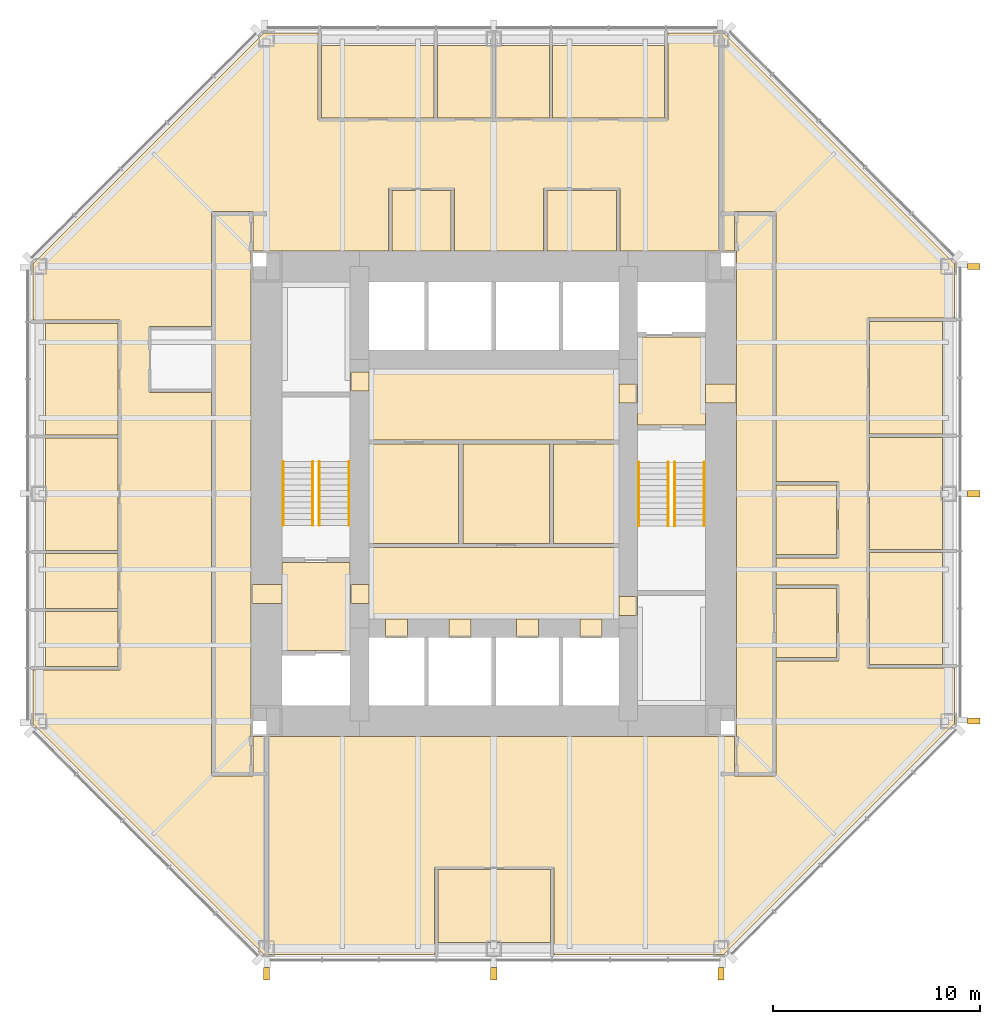
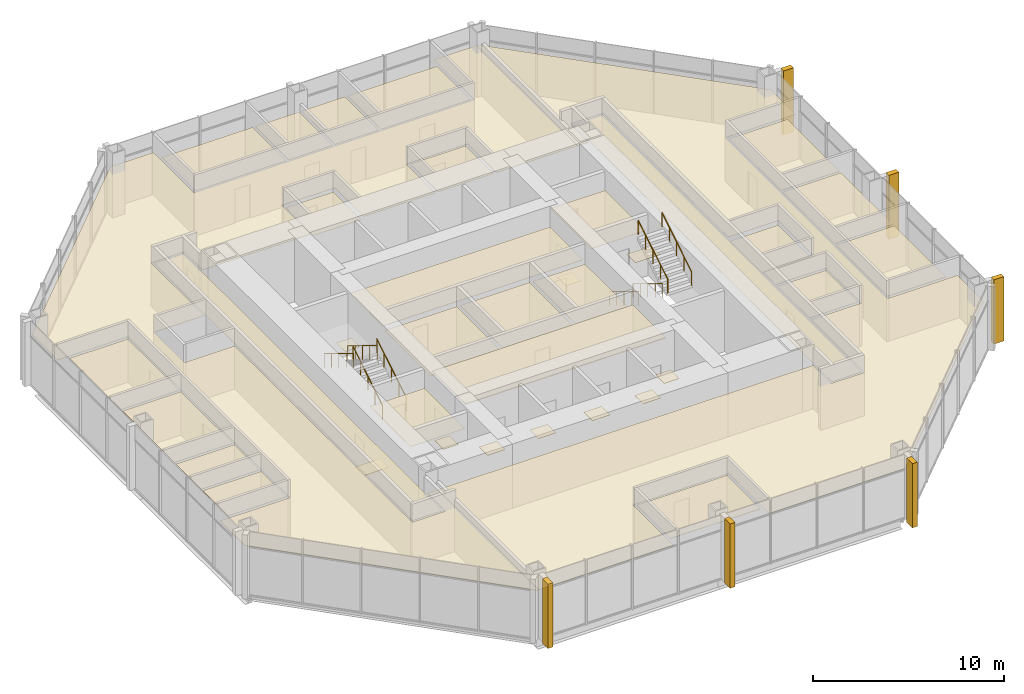
# One storey, part 12 of 12: 43 coverings, 8 railings.
"""IFC4 building model written with IfcOpenShell, lengths in metres."""

from ifc_helpers import new_model, si_unit, direction, frame, origin, origin_2d, place, context, subcontext, project, spatial, polyline, rectangle, circle, outline, extrude, material, layer, layer_set, type_object, element, save


model = new_model("IFC4")

# Units and contexts
model_context = context("Model", 3, precision=1e-05, world=origin(), true_north=direction((0.0, 1.0)))
body_context = subcontext(model_context, "Body", "Model", "MODEL_VIEW")
ifc_project = project(units=[si_unit("LENGTHUNIT", "METRE"), si_unit("AREAUNIT", "SQUARE_METRE"), si_unit("VOLUMEUNIT", "CUBIC_METRE"), si_unit("PLANEANGLEUNIT", "RADIAN"), si_unit("MASSUNIT", "GRAM", prefix="KILO")], contexts=[model_context])

# Site, building, storey
site_placement = place(None, origin())
site = spatial("IfcSite", under=ifc_project, at=site_placement, CompositionType="ELEMENT")
building_placement = place(site_placement, origin())
building = spatial("IfcBuilding", under=site, at=building_placement, Name="Trevanion Tower", CompositionType="ELEMENT")
storey_placement = place(building_placement, frame((0.0, 0.0, 129.5)))
storey = spatial("IfcBuildingStorey", under=building, at=storey_placement, Name="L30", CompositionType="ELEMENT", Elevation=129.5)

# Coverings
ifc_material_1 = material(Name="Fibrous plaster coffers on suspended steel grid", Category="steel")
ifc_layer_1 = layer(ifc_material_1, 0.050048828125)
ifc_layer_set_1 = layer_set([ifc_layer_1], Name="CL1 coffered fibrous plaster ceiling 50")
covering_type_1 = type_object("IfcCoveringType", Name="CL1 coffered fibrous plaster ceiling 50", PredefinedType="CEILING", material=ifc_layer_set_1)
covering_1_placement = place(storey_placement, frame((0.0, 0.0, 3.0)))
element("IfcCovering", 1, at=covering_1_placement, inside=storey, type_object=covering_type_1, Name="CL1 L30-LBS", PredefinedType="CEILING", context=body_context, shape_type="SweptSolid", body=[
    extrude(outline(polyline([(6.050048828125, -6.050048828125), (6.050048828125, -2.60009765625), (-6.050048828125, -2.60009765625), (-6.050048828125, -6.050048828125), (6.050048828125, -6.050048828125)])), origin(), (0.0, 0.0, 1.0), 0.050048828125),
])
ifc_material_2 = material(Name="Mineral fibre acoustic tiles in exposed grid", Category="mineral fibre")
ifc_layer_2 = layer(ifc_material_2, 0.02001953125)
ifc_layer_set_2 = layer_set([ifc_layer_2], Name="CL2 acoustic tile ceiling 20")
covering_type_2 = type_object("IfcCoveringType", Name="CL2 acoustic tile ceiling 20", PredefinedType="CEILING", material=ifc_layer_set_2)
covering_2_placement = place(storey_placement, frame((0.0, 0.0, 2.75)))
element("IfcCovering", 2, at=covering_2_placement, inside=storey, type_object=covering_type_2, Name="CL2 L30-LBN", PredefinedType="CEILING", context=body_context, shape_type="SweptSolid", body=[
    extrude(outline(polyline([(6.050048828125, 2.60009765625), (6.050048828125, 6.050048828125), (-6.050048828125, 6.050048828125), (-6.050048828125, 2.60009765625), (6.050048828125, 2.60009765625)])), origin(), (0.0, 0.0, 1.0), 0.02001953125),
])
covering_3_placement = place(storey_placement, frame((0.0, 0.0, 2.75)))
element("IfcCovering", 3, at=covering_3_placement, inside=storey, type_object=covering_type_2, Name="CL2 L30-CO1", PredefinedType="CEILING", context=body_context, shape_type="SweptSolid", body=[
    extrude(outline(polyline([(-11.75, 13.550048828125), (-11.75, -13.550048828125), (-13.550048828125, -13.550048828125), (-13.550048828125, 13.550048828125), (-11.75, 13.550048828125)])), origin(), (0.0, 0.0, 1.0), 0.02001953125),
])
covering_4_placement = place(storey_placement, frame((0.0, 0.0, 2.75)))
element("IfcCovering", 4, at=covering_4_placement, inside=storey, type_object=covering_type_2, Name="CL2 L30-CO2", PredefinedType="CEILING", context=body_context, shape_type="SweptSolid", body=[
    extrude(outline(polyline([(11.75, 13.550048828125), (13.550048828125, 13.550048828125), (13.550048828125, -13.550048828125), (11.75, -13.550048828125), (11.75, 13.550048828125)])), origin(), (0.0, 0.0, 1.0), 0.02001953125),
])
covering_5_placement = place(storey_placement, frame((0.0, 0.0, 2.75)))
element("IfcCovering", 5, at=covering_5_placement, inside=storey, type_object=covering_type_2, Name="CL2 L30-MR", PredefinedType="CEILING", context=body_context, shape_type="SweptSolid", body=[
    extrude(outline(polyline([(18.175048828125, -8.248046875), (18.175048828125, -2.85009765625), (21.699951171875, -2.85009765625), (21.699951171875, -8.248046875), (18.175048828125, -8.248046875)])), origin(), (0.0, 0.0, 1.0), 0.02001953125),
])
covering_6_placement = place(storey_placement, frame((0.0, 0.0, 2.75)))
element("IfcCovering", 6, at=covering_6_placement, inside=storey, type_object=covering_type_2, Name="CL2 L30-MR2", PredefinedType="CEILING", context=body_context, shape_type="SweptSolid", body=[
    extrude(outline(polyline([(18.175048828125, -2.699951171875), (18.175048828125, 2.73193359375), (21.699951171875, 2.73193359375), (21.699951171875, -2.699951171875), (18.175048828125, -2.699951171875)])), origin(), (0.0, 0.0, 1.0), 0.02001953125),
])
covering_7_placement = place(storey_placement, frame((0.0, 0.0, 2.75)))
element("IfcCovering", 7, at=covering_7_placement, inside=storey, type_object=covering_type_2, Name="CL2 L30-MR3", PredefinedType="CEILING", context=body_context, shape_type="SweptSolid", body=[
    extrude(outline(polyline([(18.175048828125, 2.882080078125), (18.175048828125, 8.345947265625), (21.699951171875, 8.345947265625), (21.699951171875, 2.882080078125), (18.175048828125, 2.882080078125)])), origin(), (0.0, 0.0, 1.0), 0.02001953125),
])
covering_8_placement = place(storey_placement, frame((0.0, 0.0, 2.75)))
element("IfcCovering", 8, at=covering_8_placement, inside=storey, type_object=covering_type_2, Name="CL2 L30-MR4", PredefinedType="CEILING", context=body_context, shape_type="SweptSolid", body=[
    extrude(outline(polyline([(8.248046875, 18.175048828125), (2.85009765625, 18.175048828125), (2.85009765625, 21.699951171875), (8.248046875, 21.699951171875), (8.248046875, 18.175048828125)])), origin(), (0.0, 0.0, 1.0), 0.02001953125),
])
covering_9_placement = place(storey_placement, frame((0.0, 0.0, 2.75)))
element("IfcCovering", 9, at=covering_9_placement, inside=storey, type_object=covering_type_2, Name="CL2 L30-OF", PredefinedType="CEILING", context=body_context, shape_type="SweptSolid", body=[
    extrude(outline(polyline([(2.699951171875, 18.175048828125), (0.074951171875, 18.175048828125), (0.074951171875, 21.699951171875), (2.699951171875, 21.699951171875), (2.699951171875, 18.175048828125)])), origin(), (0.0, 0.0, 1.0), 0.02001953125),
])
covering_10_placement = place(storey_placement, frame((0.0, 0.0, 2.75)))
element("IfcCovering", 10, at=covering_10_placement, inside=storey, type_object=covering_type_2, Name="CL2 L30-OF2", PredefinedType="CEILING", context=body_context, shape_type="SweptSolid", body=[
    extrude(outline(polyline([(-0.074951171875, 18.175048828125), (-2.73193359375, 18.175048828125), (-2.73193359375, 21.699951171875), (-0.074951171875, 21.699951171875), (-0.074951171875, 18.175048828125)])), origin(), (0.0, 0.0, 1.0), 0.02001953125),
])
covering_11_placement = place(storey_placement, frame((0.0, 0.0, 2.75)))
element("IfcCovering", 11, at=covering_11_placement, inside=storey, type_object=covering_type_2, Name="CL2 L30-MR5", PredefinedType="CEILING", context=body_context, shape_type="SweptSolid", body=[
    extrude(outline(polyline([(-2.882080078125, 18.175048828125), (-8.345947265625, 18.175048828125), (-8.345947265625, 21.699951171875), (-2.882080078125, 21.699951171875), (-2.882080078125, 18.175048828125)])), origin(), (0.0, 0.0, 1.0), 0.02001953125),
])
covering_12_placement = place(storey_placement, frame((0.0, 0.0, 2.75)))
element("IfcCovering", 12, at=covering_12_placement, inside=storey, type_object=covering_type_2, Name="CL2 L30-MR6", PredefinedType="CEILING", context=body_context, shape_type="SweptSolid", body=[
    extrude(outline(polyline([(-18.175048828125, 8.248046875), (-18.175048828125, 2.85009765625), (-21.699951171875, 2.85009765625), (-21.699951171875, 8.248046875), (-18.175048828125, 8.248046875)])), origin(), (0.0, 0.0, 1.0), 0.02001953125),
])
covering_13_placement = place(storey_placement, frame((0.0, 0.0, 2.75)))
element("IfcCovering", 13, at=covering_13_placement, inside=storey, type_object=covering_type_2, Name="CL2 L30-MR7", PredefinedType="CEILING", context=body_context, shape_type="SweptSolid", body=[
    extrude(outline(polyline([(-18.175048828125, 2.699951171875), (-18.175048828125, -2.73193359375), (-21.699951171875, -2.73193359375), (-21.699951171875, 2.699951171875), (-18.175048828125, 2.699951171875)])), origin(), (0.0, 0.0, 1.0), 0.02001953125),
])
covering_14_placement = place(storey_placement, frame((0.0, 0.0, 2.75)))
element("IfcCovering", 14, at=covering_14_placement, inside=storey, type_object=covering_type_2, Name="CL2 L30-OF3", PredefinedType="CEILING", context=body_context, shape_type="SweptSolid", body=[
    extrude(outline(polyline([(-18.175048828125, -2.882080078125), (-18.175048828125, -5.5390625), (-21.699951171875, -5.5390625), (-21.699951171875, -2.882080078125), (-18.175048828125, -2.882080078125)])), origin(), (0.0, 0.0, 1.0), 0.02001953125),
])
covering_15_placement = place(storey_placement, frame((0.0, 0.0, 2.75)))
element("IfcCovering", 15, at=covering_15_placement, inside=storey, type_object=covering_type_2, Name="CL2 L30-OF4", PredefinedType="CEILING", context=body_context, shape_type="SweptSolid", body=[
    extrude(outline(polyline([(-18.175048828125, -5.68896484375), (-18.175048828125, -8.345947265625), (-21.699951171875, -8.345947265625), (-21.699951171875, -5.68896484375), (-18.175048828125, -5.68896484375)])), origin(), (0.0, 0.0, 1.0), 0.02001953125),
])
covering_16_placement = place(storey_placement, frame((0.0, 0.0, 2.75)))
element("IfcCovering", 16, at=covering_16_placement, inside=storey, type_object=covering_type_2, Name="CL2 L30-MR8", PredefinedType="CEILING", context=body_context, shape_type="SweptSolid", body=[
    extrude(outline(polyline([(-2.699951171875, -18.175048828125), (2.73193359375, -18.175048828125), (2.73193359375, -21.699951171875), (-2.699951171875, -21.699951171875), (-2.699951171875, -18.175048828125)])), origin(), (0.0, 0.0, 1.0), 0.02001953125),
])
covering_17_placement = place(storey_placement, frame((0.0, 0.0, 2.75)))
element("IfcCovering", 17, at=covering_17_placement, inside=storey, type_object=covering_type_2, Name="CL2 L30-RC", PredefinedType="CEILING", context=body_context, shape_type="SweptSolid", body=[
    extrude(outline(polyline([(13.64990234375, -7.925048828125), (13.64990234375, -4.574951171875), (16.574951171875, -4.574951171875), (16.574951171875, -7.925048828125), (13.64990234375, -7.925048828125)])), origin(), (0.0, 0.0, 1.0), 0.02001953125),
])
covering_18_placement = place(storey_placement, frame((0.0, 0.0, 2.75)))
element("IfcCovering", 18, at=covering_18_placement, inside=storey, type_object=covering_type_2, Name="CL2 L30-RC2", PredefinedType="CEILING", context=body_context, shape_type="SweptSolid", body=[
    extrude(outline(polyline([(2.574951171875, 14.675048828125), (5.925048828125, 14.675048828125), (5.925048828125, 11.75), (2.574951171875, 11.75), (2.574951171875, 14.675048828125)])), origin(), (0.0, 0.0, 1.0), 0.02001953125),
])
covering_19_placement = place(storey_placement, frame((0.0, 0.0, 2.75)))
element("IfcCovering", 19, at=covering_19_placement, inside=storey, type_object=covering_type_2, Name="CL2 L30-OP", PredefinedType="CEILING", context=body_context, shape_type="SweptSolid", body=[
    extrude(outline(polyline([(11.64990234375, -13.64990234375), (13.64990234375, -13.64990234375), (13.64990234375, -8.094970703125), (16.669921875, -8.094970703125), (16.669921875, -4.405029296875), (13.64990234375, -4.405029296875), (13.64990234375, -3.094970703125), (16.669921875, -3.094970703125), (16.669921875, 0.594970703125), (13.64990234375, 0.594970703125), (13.64990234375, 13.64990234375), (11.64990234375, 13.64990234375), (11.64990234375, 11.75), (11.0, 11.75), (11.0, 22.300048828125), (11.124267578125, 22.300048828125), (22.300048828125, 11.124267578125), (22.300048828125, 8.51611328125), (18.080078125, 8.51611328125), (18.080078125, -8.41796875), (22.300048828125, -8.41796875), (22.300048828125, -11.124267578125), (11.124267578125, -22.300048828125), (2.902099609375, -22.300048828125), (2.902099609375, -18.080078125), (-2.8701171875, -18.080078125), (-2.8701171875, -22.300048828125), (-11.0, -22.300048828125), (-11.0, -11.75), (11.64990234375, -11.75), (11.64990234375, -13.64990234375)])), origin(), (0.0, 0.0, 1.0), 0.02001953125),
])
covering_20_placement = place(storey_placement, frame((0.0, 0.0, 2.75)))
element("IfcCovering", 20, at=covering_20_placement, inside=storey, type_object=covering_type_2, Name="CL2 L30-OP2", PredefinedType="CEILING", context=body_context, shape_type="SweptSolid", body=[
    extrude(outline(polyline([(-11.64990234375, -13.64990234375), (-11.64990234375, -11.75), (-11.0, -11.75), (-11.0, -22.300048828125), (-11.124267578125, -22.300048828125), (-22.300048828125, -11.124267578125), (-22.300048828125, -8.51611328125), (-18.080078125, -8.51611328125), (-18.080078125, 8.41796875), (-22.300048828125, 8.41796875), (-22.300048828125, 11.124267578125), (-11.124267578125, 22.300048828125), (-8.51611328125, 22.300048828125), (-8.51611328125, 18.080078125), (8.41796875, 18.080078125), (8.41796875, 22.300048828125), (11.0, 22.300048828125), (11.0, 11.75), (6.094970703125, 11.75), (6.094970703125, 14.77001953125), (2.405029296875, 14.77001953125), (2.405029296875, 11.75), (-1.905029296875, 11.75), (-1.905029296875, 14.77001953125), (-5.094970703125, 14.77001953125), (-5.094970703125, 11.75), (-11.64990234375, 11.75), (-11.64990234375, 13.64990234375), (-13.64990234375, 13.64990234375), (-13.64990234375, 8.094970703125), (-16.669921875, 8.094970703125), (-16.669921875, 4.905029296875), (-13.64990234375, 4.905029296875), (-13.64990234375, -13.64990234375), (-11.64990234375, -13.64990234375)])), origin(), (0.0, 0.0, 1.0), 0.02001953125),
])
ifc_material_3 = material(Name="Gypsum plasterboard on suspended metal furring", Category="gypsum")
ifc_layer_3 = layer(ifc_material_3, 0.012939453125)
ifc_layer_set_3 = layer_set([ifc_layer_3], Name="CL3 plasterboard ceiling 13")
covering_type_3 = type_object("IfcCoveringType", Name="CL3 plasterboard ceiling 13", PredefinedType="CEILING", material=ifc_layer_set_3)
covering_21_placement = place(storey_placement, frame((0.0, 0.0, 2.699951171875)))
element("IfcCovering", 21, at=covering_21_placement, inside=storey, type_object=covering_type_3, Name="CL3 L30-FV1", PredefinedType="CEILING", context=body_context, shape_type="SweptSolid", body=[
    extrude(outline(polyline([(10.25, 3.324951171875), (10.25, 7.574951171875), (6.949951171875, 7.574951171875), (6.949951171875, 3.324951171875), (10.25, 3.324951171875)])), origin(), (0.0, 0.0, 1.0), 0.012939453125),
])
covering_22_placement = place(storey_placement, frame((0.0, 0.0, 2.699951171875)))
element("IfcCovering", 22, at=covering_22_placement, inside=storey, type_object=covering_type_3, Name="CL3 L30-FV2", PredefinedType="CEILING", context=body_context, shape_type="SweptSolid", body=[
    extrude(outline(polyline([(-10.25, -3.324951171875), (-10.25, -7.574951171875), (-6.949951171875, -7.574951171875), (-6.949951171875, -3.324951171875), (-10.25, -3.324951171875)])), origin(), (0.0, 0.0, 1.0), 0.012939453125),
])
ifc_material_4 = material(Name="Moisture-resistant gypsum board on suspended metal furring", Category="gypsum")
ifc_layer_4 = layer(ifc_material_4, 0.01611328125)
ifc_layer_set_4 = layer_set([ifc_layer_4], Name="CL4 moisture-resistant board ceiling 16")
covering_type_4 = type_object("IfcCoveringType", Name="CL4 moisture-resistant board ceiling 16", PredefinedType="CEILING", material=ifc_layer_set_4)
covering_23_placement = place(storey_placement, frame((0.0, 0.0, 2.60009765625)))
element("IfcCovering", 23, at=covering_23_placement, inside=storey, type_object=covering_type_4, Name="CL4 L30-WCF", PredefinedType="CEILING", context=body_context, shape_type="SweptSolid", body=[
    extrude(outline(polyline([(-1.699951171875, -2.39990234375), (-1.699951171875, 2.39990234375), (-6.050048828125, 2.39990234375), (-6.050048828125, -2.39990234375), (-1.699951171875, -2.39990234375)])), origin(), (0.0, 0.0, 1.0), 0.015869140625),
])
covering_24_placement = place(storey_placement, frame((0.0, 0.0, 2.60009765625)))
element("IfcCovering", 24, at=covering_24_placement, inside=storey, type_object=covering_type_4, Name="CL4 L30-WCM", PredefinedType="CEILING", context=body_context, shape_type="SweptSolid", body=[
    extrude(outline(polyline([(2.699951171875, -2.39990234375), (2.699951171875, 2.39990234375), (-1.5, 2.39990234375), (-1.5, -2.39990234375), (2.699951171875, -2.39990234375)])), origin(), (0.0, 0.0, 1.0), 0.015869140625),
])
covering_25_placement = place(storey_placement, frame((0.0, 0.0, 2.60009765625)))
element("IfcCovering", 25, at=covering_25_placement, inside=storey, type_object=covering_type_4, Name="CL4 L30-WCA", PredefinedType="CEILING", context=body_context, shape_type="SweptSolid", body=[
    extrude(outline(polyline([(6.050048828125, -2.39990234375), (6.050048828125, 2.39990234375), (2.89990234375, 2.39990234375), (2.89990234375, -2.39990234375), (6.050048828125, -2.39990234375)])), origin(), (0.0, 0.0, 1.0), 0.015869140625),
])
covering_26_placement = place(storey_placement, frame((0.0, 0.0, 2.60009765625)))
element("IfcCovering", 26, at=covering_26_placement, inside=storey, type_object=covering_type_4, Name="CL4 L30-PA", PredefinedType="CEILING", context=body_context, shape_type="SweptSolid", body=[
    extrude(outline(polyline([(13.64990234375, -2.925048828125), (13.64990234375, 0.425048828125), (16.574951171875, 0.425048828125), (16.574951171875, -2.925048828125), (13.64990234375, -2.925048828125)])), origin(), (0.0, 0.0, 1.0), 0.015869140625),
])
covering_27_placement = place(storey_placement, frame((0.0, 0.0, 2.60009765625)))
element("IfcCovering", 27, at=covering_27_placement, inside=storey, type_object=covering_type_4, Name="CL4 L30-PA2", PredefinedType="CEILING", context=body_context, shape_type="SweptSolid", body=[
    extrude(outline(polyline([(-4.925048828125, 14.675048828125), (-2.074951171875, 14.675048828125), (-2.074951171875, 11.75), (-4.925048828125, 11.75), (-4.925048828125, 14.675048828125)])), origin(), (0.0, 0.0, 1.0), 0.015869140625),
])
ifc_material_5 = material(Name="Cast bronze fin on aluminium carrier", Category="aluminium")
covering_type_5 = type_object("IfcCoveringType", Name="F1 bronze fin", PredefinedType="CLADDING", material=ifc_material_5)
for number, where, z_axis, x_axis, name in (
    (28, (23.22509765625, -11.0, -0.18994140625), (0.0, 0.0, 1.0), (0.0, 1.0, 0.0), "F1 L30 east -11.0"),
    (29, (23.22509765625, 0.0, -0.18994140625), (0.0, 0.0, 1.0), (0.0, 1.0, 0.0), "F1 L30 east +0.0"),
    (30, (23.22509765625, 11.0, -0.18994140625), (0.0, 0.0, 1.0), (0.0, 1.0, 0.0), "F1 L30 east +11.0"),
    (31, (-11.0, -23.22509765625, -0.18994140625), (0.0, 0.0, 1.0), (1.0, 0.0, 0.0), "F1 L30 south -11.0"),
    (32, (0.0, -23.22509765625, -0.18994140625), (0.0, 0.0, 1.0), (1.0, 0.0, 0.0), "F1 L30 south +0.0"),
    (33, (11.0, -23.22509765625, -0.18994140625), (0.0, 0.0, 1.0), (1.0, 0.0, 0.0), "F1 L30 south +11.0"),
):
    element("IfcCovering", number, at=place(storey_placement, frame(where, z_axis=z_axis, x_axis=x_axis)), inside=storey, type_object=covering_type_5, Name=name, PredefinedType="CLADDING", context=body_context, shape_type="SweptSolid", body=[
        extrude(rectangle(XDim=0.300048828125, YDim=0.60009765625, at=origin_2d()), origin(), (0.0, 0.0, 1.0), 4.10009765625),
    ])
ifc_material_6 = material(Name="Terrazzo, brass divider strips", Category="stone")
ifc_layer_5 = layer(ifc_material_6, 0.02001953125)
ifc_layer_set_5 = layer_set([ifc_layer_5], Name="FF1 terrazzo flooring")
covering_type_6 = type_object("IfcCoveringType", Name="FF1 terrazzo flooring", PredefinedType="FLOORING", material=ifc_layer_set_5)
covering_28_placement = place(storey_placement, origin())
element("IfcCovering", 34, at=covering_28_placement, inside=storey, type_object=covering_type_6, Name="FF1 threshold 30-001", PredefinedType="FLOORING", context=body_context, shape_type="SweptSolid", body=[
    extrude(outline(polyline([(11.75, 4.392578125), (11.75, 5.3076171875), (10.25, 5.3076171875), (10.25, 4.392578125), (11.75, 4.392578125)])), origin(), (0.0, 0.0, 1.0), 0.02001953125),
])
covering_29_placement = place(storey_placement, origin())
element("IfcCovering", 35, at=covering_29_placement, inside=storey, type_object=covering_type_6, Name="FF1 threshold 30-002", PredefinedType="FLOORING", context=body_context, shape_type="SweptSolid", body=[
    extrude(outline(polyline([(-11.75, -4.392578125), (-11.75, -5.3076171875), (-10.25, -5.3076171875), (-10.25, -4.392578125), (-11.75, -4.392578125)])), origin(), (0.0, 0.0, 1.0), 0.02001953125),
])
covering_30_placement = place(storey_placement, origin())
element("IfcCovering", 36, at=covering_30_placement, inside=storey, type_object=covering_type_6, Name="FF1 threshold 30-003", PredefinedType="FLOORING", context=body_context, shape_type="SweptSolid", body=[
    extrude(outline(polyline([(6.949951171875, 4.392578125), (6.949951171875, 5.3076171875), (6.050048828125, 5.3076171875), (6.050048828125, 4.392578125), (6.949951171875, 4.392578125)])), origin(), (0.0, 0.0, 1.0), 0.02001953125),
])
covering_31_placement = place(storey_placement, origin())
element("IfcCovering", 37, at=covering_31_placement, inside=storey, type_object=covering_type_6, Name="FF1 threshold 30-004", PredefinedType="FLOORING", context=body_context, shape_type="SweptSolid", body=[
    extrude(outline(polyline([(-6.949951171875, -4.392578125), (-6.949951171875, -5.3076171875), (-6.050048828125, -5.3076171875), (-6.050048828125, -4.392578125), (-6.949951171875, -4.392578125)])), origin(), (0.0, 0.0, 1.0), 0.02001953125),
])
covering_32_placement = place(storey_placement, origin())
element("IfcCovering", 38, at=covering_32_placement, inside=storey, type_object=covering_type_6, Name="FF1 threshold 30-009", PredefinedType="FLOORING", context=body_context, shape_type="SweptSolid", body=[
    extrude(outline(polyline([(6.949951171875, -5.889892578125), (6.949951171875, -4.97509765625), (6.050048828125, -4.97509765625), (6.050048828125, -5.889892578125), (6.949951171875, -5.889892578125)])), origin(), (0.0, 0.0, 1.0), 0.02001953125),
])
covering_33_placement = place(storey_placement, origin())
element("IfcCovering", 39, at=covering_33_placement, inside=storey, type_object=covering_type_6, Name="FF1 threshold 30-010", PredefinedType="FLOORING", context=body_context, shape_type="SweptSolid", body=[
    extrude(outline(polyline([(-6.949951171875, 5.889892578125), (-6.949951171875, 4.97509765625), (-6.050048828125, 4.97509765625), (-6.050048828125, 5.889892578125), (-6.949951171875, 5.889892578125)])), origin(), (0.0, 0.0, 1.0), 0.02001953125),
])
covering_34_placement = place(storey_placement, origin())
element("IfcCovering", 40, at=covering_34_placement, inside=storey, type_object=covering_type_6, Name="FF1 threshold 30-011", PredefinedType="FLOORING", context=body_context, shape_type="SweptSolid", body=[
    extrude(outline(polyline([(-5.2333984375, -6.949951171875), (-4.16650390625, -6.949951171875), (-4.16650390625, -6.050048828125), (-5.2333984375, -6.050048828125), (-5.2333984375, -6.949951171875)])), origin(), (0.0, 0.0, 1.0), 0.02001953125),
])
covering_35_placement = place(storey_placement, origin())
element("IfcCovering", 41, at=covering_35_placement, inside=storey, type_object=covering_type_6, Name="FF1 threshold 30-012", PredefinedType="FLOORING", context=body_context, shape_type="SweptSolid", body=[
    extrude(outline(polyline([(-2.158447265625, -6.949951171875), (-1.091552734375, -6.949951171875), (-1.091552734375, -6.050048828125), (-2.158447265625, -6.050048828125), (-2.158447265625, -6.949951171875)])), origin(), (0.0, 0.0, 1.0), 0.02001953125),
])
covering_36_placement = place(storey_placement, origin())
element("IfcCovering", 42, at=covering_36_placement, inside=storey, type_object=covering_type_6, Name="FF1 threshold 30-013", PredefinedType="FLOORING", context=body_context, shape_type="SweptSolid", body=[
    extrude(outline(polyline([(1.091552734375, -6.949951171875), (2.158447265625, -6.949951171875), (2.158447265625, -6.050048828125), (1.091552734375, -6.050048828125), (1.091552734375, -6.949951171875)])), origin(), (0.0, 0.0, 1.0), 0.02001953125),
])
covering_37_placement = place(storey_placement, origin())
element("IfcCovering", 43, at=covering_37_placement, inside=storey, type_object=covering_type_6, Name="FF1 threshold 30-014", PredefinedType="FLOORING", context=body_context, shape_type="SweptSolid", body=[
    extrude(outline(polyline([(4.16650390625, -6.949951171875), (5.2333984375, -6.949951171875), (5.2333984375, -6.050048828125), (4.16650390625, -6.050048828125), (4.16650390625, -6.949951171875)])), origin(), (0.0, 0.0, 1.0), 0.02001953125),
])

# Railings
ifc_material_7 = material(Name="Stainless steel tube 40 mm", Category="steel")
railing_type = type_object("IfcRailingType", Name="HR1 handrail", PredefinedType="HANDRAIL", material=ifc_material_7)
for number, where, name in (
    (44, (7.010009765625, 1.52490234375, 0.1708984375), "HR1 ST1 L30 flight 1"),
    (45, (8.43994140625, 1.52490234375, 0.1708984375), "HR1 ST1 L30 flight 1"),
):
    element("IfcRailing", number, at=place(storey_placement, frame(where)), inside=storey, type_object=railing_type, Name=name, PredefinedType="HANDRAIL", context=body_context, shape_type="SweptSolid", body=[
        extrude(circle(Radius=0.02001953125, at=origin_2d()), frame((0.0, 0.0, 0.8798828125), z_axis=(0.0, -0.853647949592, 0.520850437417), x_axis=(1.0, 0.0, 0.0)), (0.0, 0.0, 1.0), 3.60791015625),
        extrude(circle(Radius=0.01513671875, at=origin_2d()), origin(), (0.0, 0.0, 1.0), 0.85986328125),
        extrude(circle(Radius=0.01513671875, at=origin_2d()), frame((0.0, -0.77001953125, 0.4697265625)), (0.0, 0.0, 1.0), 0.85986328125),
        extrude(circle(Radius=0.01513671875, at=origin_2d()), frame((0.0, -1.5400390625, 0.939453125)), (0.0, 0.0, 1.0), 0.85986328125),
        extrude(circle(Radius=0.01513671875, at=origin_2d()), frame((0.0, -2.309814453125, 1.409423828125)), (0.0, 0.0, 1.0), 0.85986328125),
        extrude(circle(Radius=0.01513671875, at=origin_2d()), frame((0.0, -3.079833984375, 1.879150390625)), (0.0, 0.0, 1.0), 0.85986328125),
    ])
for number, where, name in (
    (46, (8.760009765625, -1.554931640625, 2.220703125), "HR1 ST1 L30 flight 2"),
    (47, (10.18994140625, -1.554931640625, 2.220703125), "HR1 ST1 L30 flight 2"),
):
    element("IfcRailing", number, at=place(storey_placement, frame(where)), inside=storey, type_object=railing_type, Name=name, PredefinedType="HANDRAIL", context=body_context, shape_type="SweptSolid", body=[
        extrude(circle(Radius=0.02001953125, at=origin_2d()), frame((0.0, 0.0, 0.8798828125), z_axis=(0.0, 0.853617861917, 0.520899746416), x_axis=(-1.0, 0.0, 0.0)), (0.0, 0.0, 1.0), 3.60791015625),
        extrude(circle(Radius=0.01513671875, at=origin_2d()), origin(), (0.0, 0.0, 1.0), 0.85986328125),
        extrude(circle(Radius=0.01513671875, at=origin_2d()), frame((0.0, 0.77001953125, 0.4697265625)), (0.0, 0.0, 1.0), 0.85986328125),
        extrude(circle(Radius=0.01513671875, at=origin_2d()), frame((0.0, 1.5400390625, 0.939697265625)), (0.0, 0.0, 1.0), 0.85986328125),
        extrude(circle(Radius=0.01513671875, at=origin_2d()), frame((0.0, 2.309814453125, 1.40966796875)), (0.0, 0.0, 1.0), 0.85986328125),
        extrude(circle(Radius=0.01513671875, at=origin_2d()), frame((0.0, 3.079833984375, 1.87939453125)), (0.0, 0.0, 1.0), 0.85986328125),
    ])
for number, where, name in (
    (48, (-7.010009765625, -1.52490234375, 0.1708984375), "HR1 ST2 L30 flight 1"),
    (49, (-8.43994140625, -1.52490234375, 0.1708984375), "HR1 ST2 L30 flight 1"),
):
    element("IfcRailing", number, at=place(storey_placement, frame(where)), inside=storey, type_object=railing_type, Name=name, PredefinedType="HANDRAIL", context=body_context, shape_type="SweptSolid", body=[
        extrude(circle(Radius=0.02001953125, at=origin_2d()), frame((0.0, 0.0, 0.8798828125), z_axis=(0.0, 0.853647949592, 0.520850437417), x_axis=(-1.0, 0.0, 0.0)), (0.0, 0.0, 1.0), 3.60791015625),
        extrude(circle(Radius=0.01513671875, at=origin_2d()), origin(), (0.0, 0.0, 1.0), 0.85986328125),
        extrude(circle(Radius=0.01513671875, at=origin_2d()), frame((0.0, 0.77001953125, 0.4697265625)), (0.0, 0.0, 1.0), 0.85986328125),
        extrude(circle(Radius=0.01513671875, at=origin_2d()), frame((0.0, 1.5400390625, 0.939453125)), (0.0, 0.0, 1.0), 0.85986328125),
        extrude(circle(Radius=0.01513671875, at=origin_2d()), frame((0.0, 2.309814453125, 1.409423828125)), (0.0, 0.0, 1.0), 0.85986328125),
        extrude(circle(Radius=0.01513671875, at=origin_2d()), frame((0.0, 3.079833984375, 1.879150390625)), (0.0, 0.0, 1.0), 0.85986328125),
    ])
for number, where, name in (
    (50, (-8.760009765625, 1.554931640625, 2.220703125), "HR1 ST2 L30 flight 2"),
    (51, (-10.18994140625, 1.554931640625, 2.220703125), "HR1 ST2 L30 flight 2"),
):
    element("IfcRailing", number, at=place(storey_placement, frame(where)), inside=storey, type_object=railing_type, Name=name, PredefinedType="HANDRAIL", context=body_context, shape_type="SweptSolid", body=[
        extrude(circle(Radius=0.02001953125, at=origin_2d()), frame((0.0, 0.0, 0.8798828125), z_axis=(0.0, -0.853617861917, 0.520899746416), x_axis=(1.0, 0.0, 0.0)), (0.0, 0.0, 1.0), 3.60791015625),
        extrude(circle(Radius=0.01513671875, at=origin_2d()), origin(), (0.0, 0.0, 1.0), 0.85986328125),
        extrude(circle(Radius=0.01513671875, at=origin_2d()), frame((0.0, -0.77001953125, 0.4697265625)), (0.0, 0.0, 1.0), 0.85986328125),
        extrude(circle(Radius=0.01513671875, at=origin_2d()), frame((0.0, -1.5400390625, 0.939697265625)), (0.0, 0.0, 1.0), 0.85986328125),
        extrude(circle(Radius=0.01513671875, at=origin_2d()), frame((0.0, -2.309814453125, 1.40966796875)), (0.0, 0.0, 1.0), 0.85986328125),
        extrude(circle(Radius=0.01513671875, at=origin_2d()), frame((0.0, -3.079833984375, 1.87939453125)), (0.0, 0.0, 1.0), 0.85986328125),
    ])

save(model, "model.ifc")
